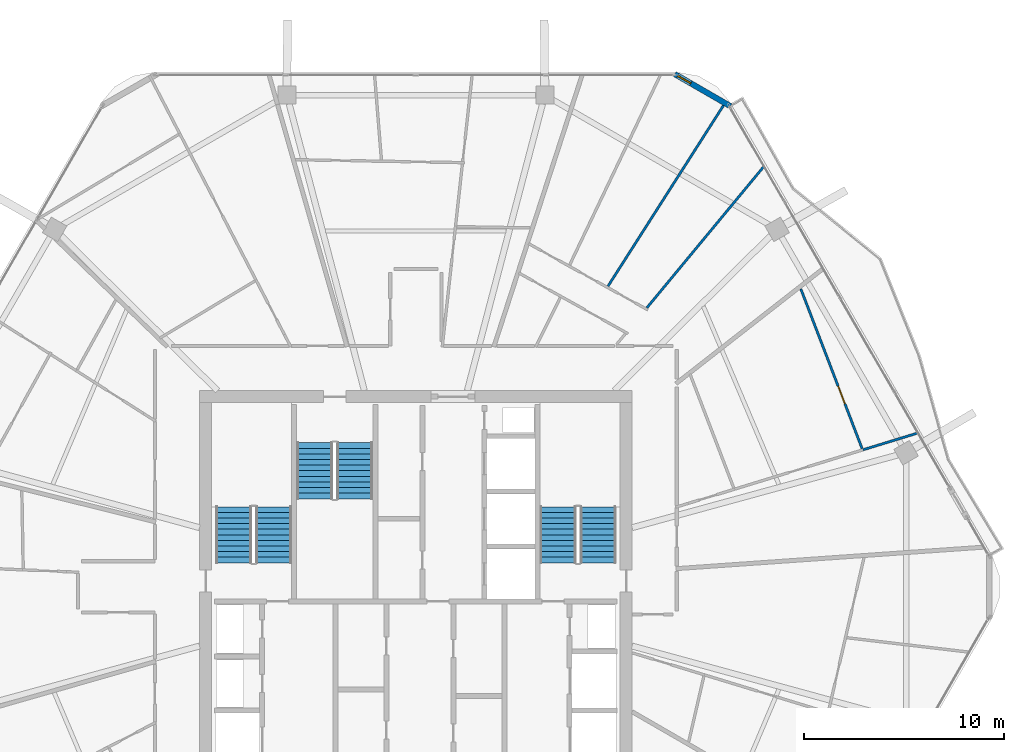
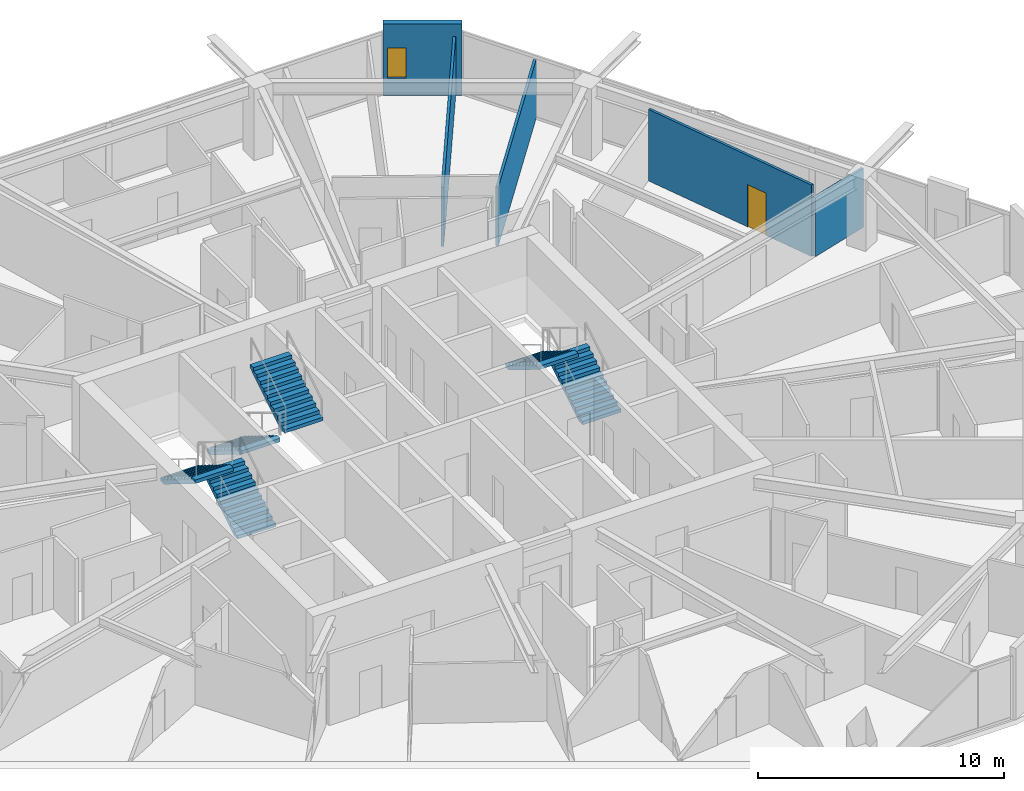
# One storey, part 23 of 26: 6 stair flights, 5 walls, 1 door, 1 window, 2 openings, 3 elements without a shape of their own.
"""IFC4 building model written with IfcOpenShell, lengths in metres."""

from ifc_helpers import new_model, si_unit, direction, frame, frame_2d, origin, place, context, subcontext, project, spatial, polyline, rectangle, outline, extrude, material, layer, layer_set, type_object, element, fill, aggregate, save


model = new_model("IFC4")

# Units and contexts
model_context = context("Model", 3, precision=1e-05, world=origin(), true_north=direction((0.0, 1.0)))
body_context = subcontext(model_context, "Body", "Model", "MODEL_VIEW")
ifc_project = project(units=[si_unit("LENGTHUNIT", "METRE"), si_unit("AREAUNIT", "SQUARE_METRE"), si_unit("VOLUMEUNIT", "CUBIC_METRE"), si_unit("PLANEANGLEUNIT", "RADIAN"), si_unit("MASSUNIT", "GRAM", prefix="KILO")], contexts=[model_context])

# Site, building, storey
site_placement = place(None, origin())
site = spatial("IfcSite", under=ifc_project, at=site_placement, CompositionType="ELEMENT")
building_placement = place(site_placement, origin())
building = spatial("IfcBuilding", under=site, at=building_placement, Name="Zuhravey Tower", CompositionType="ELEMENT")
storey_placement = place(building_placement, frame((0.0, 0.0, 250.199951171875)))
storey = spatial("IfcBuildingStorey", under=building, at=storey_placement, Name="L63", CompositionType="ELEMENT", Elevation=250.199951171875)

# Wall, opening, window
ifc_material_1 = material(Name="Precast concrete C40/50", Category="concrete")
ifc_layer_1 = layer(ifc_material_1, 0.280029296875)
ifc_layer_set_1 = layer_set([ifc_layer_1], Name="Precast concrete C40/50")
wall_type_1 = type_object("IfcWallType", Name="Crown Architectural Wall 280", PredefinedType="SOLIDWALL", material=ifc_layer_set_1)
wall_1_placement = place(storey_placement, frame((48.930419921875, 57.611083984375, 0.0), z_axis=(0.0, 0.0, 1.0), x_axis=(0.866028773314, -0.499994163758, 0.0)))
wall_1 = element("IfcWall", 1, at=wall_1_placement, inside=storey, type_object=wall_type_1, Name="L63 Rounded Corner Closure Wall EW28-10", PredefinedType="SOLIDWALL", context=body_context, shape_type="SweptSolid", body=[
    extrude(rectangle(XDim=3.21484375, YDim=0.280029296875, at=frame_2d((1.607421875, 0.0))), origin(), (0.0, 0.0, 1.0), 3.550048828125),
])
opening_1_placement = place(wall_1_placement, frame((0.17578125, 0.0, 0.85009765625)))
opening_1 = element("IfcOpeningElement", 2, at=opening_1_placement, cuts=wall_1, Name="Opening WN5", PredefinedType="OPENING", context=body_context, shape_type="SweptSolid", body=[
    extrude(rectangle(XDim=0.75, YDim=1.5, at=frame_2d((0.375, 0.75))), frame((0.0, 0.152099609375, 0.0), z_axis=(0.0, -1.0, 0.0), x_axis=(1.0, 0.0, 0.0)), (0.0, 0.0, 1.0), 0.303955078125),
])
ifc_material_2 = material(Name="Thermally broken aluminium and triple low-E glass", Category="aluminium")
window_type = type_object("IfcWindowType", Name="Residential Corner Casement Window 750x1500", PartitioningType="SINGLE_PANEL", PredefinedType="WINDOW", material=ifc_material_2)
window_placement = place(opening_1_placement, origin())
window = element("IfcWindow", 3, at=window_placement, inside=storey, type_object=window_type, Name="L63 Corner Casement Window WN5-10.1", OverallHeight=1.5, OverallWidth=0.75, PartitioningType="SINGLE_PANEL", PredefinedType="WINDOW", context=body_context, shape_type="SweptSolid", body=[
    extrude(rectangle(XDim=0.75, YDim=1.5, at=frame_2d((0.375, 0.75))), frame((0.0, 0.030029296875, 0.0), z_axis=(0.0, -1.0, 0.0), x_axis=(1.0, 0.0, 0.0)), (0.0, 0.0, 1.0), 0.06005859375),
])
fill(opening_1, window)

# Wall, opening, door
ifc_material_3 = material(Name="Gypsum metal-stud partition")
ifc_layer_2 = layer(ifc_material_3, 0.1201171875)
ifc_layer_set_2 = layer_set([ifc_layer_2], Name="Gypsum metal-stud partition")
wall_type_2 = type_object("IfcWallType", Name="Unit Internal Partition 120", PredefinedType="PARTITIONING", material=ifc_layer_set_2)
wall_2_placement = place(storey_placement, frame((58.288818359375, 38.902587890625, 0.0), z_axis=(0.0, 0.0, 1.0), x_axis=(-0.358377768056, 0.933576657465, 0.0)))
wall_2 = element("IfcWall", 4, at=wall_2_placement, inside=storey, type_object=wall_type_2, Name="L63 IW12 Partition 059", PredefinedType="PARTITIONING", context=body_context, shape_type="SweptSolid", body=[
    extrude(rectangle(XDim=8.544189453125, YDim=0.1201171875, at=frame_2d((4.27197265625, 0.0))), origin(), (0.0, 0.0, 1.0), 3.550048828125),
])
opening_2_placement = place(wall_2_placement, frame((2.392822265625, 0.0, 0.0)))
opening_2 = element("IfcOpeningElement", 5, at=opening_2_placement, cuts=wall_2, Name="Opening IND1", PredefinedType="OPENING", context=body_context, shape_type="SweptSolid", body=[
    extrude(rectangle(XDim=0.949951171875, YDim=2.10009765625, at=frame_2d((0.47509765625, 1.050048828125))), frame((0.0, 0.072021484375, 0.0), z_axis=(0.0, -1.0, 0.0), x_axis=(1.0, 0.0, 0.0)), (0.0, 0.0, 1.0), 0.14404296875),
])
ifc_material_4 = material(Name="Painted engineered timber leaf", Category="wood")
door_type = type_object("IfcDoorType", Name="Internal Room & Bedroom Door 950x2100", OperationType="NOTDEFINED", PredefinedType="DOOR", material=ifc_material_4)
door_placement = place(opening_2_placement, frame((0.949951171875, 0.0, 0.0), z_axis=(0.0, 0.0, 1.0), x_axis=(-1.0, 0.0, 0.0)))
door = element("IfcDoor", 6, at=door_placement, inside=storey, type_object=door_type, Name="Apartment L63-09 Bedroom 1 Door", OperationType="SINGLE_SWING_RIGHT", OverallHeight=2.10009765625, OverallWidth=0.949951171875, PredefinedType="DOOR", context=body_context, shape_type="SweptSolid", body=[
    extrude(rectangle(XDim=0.949951171875, YDim=2.10009765625, at=frame_2d((0.47509765625, 1.050048828125))), frame((0.0, 0.02490234375, 0.0), z_axis=(0.0, -1.0, 0.0), x_axis=(1.0, 0.0, 0.0)), (0.0, 0.0, 1.0), 0.050048828125),
])
fill(opening_2, door)

# Walls
wall_3_placement = place(storey_placement, frame((58.3369140625, 38.84619140625, 0.0), z_axis=(0.0, 0.0, 1.0), x_axis=(0.956107218271, 0.293017042457, 0.0)))
element("IfcWall", 7, at=wall_3_placement, inside=storey, type_object=wall_type_2, Name="L63 IW12 Partition 110", PredefinedType="PARTITIONING", context=body_context, shape_type="SweptSolid", body=[
    extrude(rectangle(XDim=2.873779296875, YDim=0.1201171875, at=frame_2d((1.43701171875, 0.0))), origin(), (0.0, 0.0, 1.0), 2.929931640625),
])
wall_4_placement = place(storey_placement, frame((45.596435546875, 47.01708984375, 0.0), z_axis=(0.0, 0.0, 1.0), x_axis=(0.538471979817, 0.842643416252, 0.0)))
element("IfcWall", 8, at=wall_4_placement, inside=storey, type_object=wall_type_2, Name="L63 IW12 Partition 114", PredefinedType="PARTITIONING", context=body_context, shape_type="SweptSolid", body=[
    extrude(rectangle(XDim=10.947265625, YDim=0.1201171875, at=frame_2d((5.4736328125, 0.0))), origin(), (0.0, 0.0, 1.0), 2.929931640625),
])
wall_5_placement = place(storey_placement, frame((47.538818359375, 45.93798828125, 0.0), z_axis=(0.0, 0.0, 1.0), x_axis=(0.637687358295, 0.770295289529, 0.0)))
element("IfcWall", 9, at=wall_5_placement, inside=storey, type_object=wall_type_2, Name="L63 IW12 Partition 117", PredefinedType="PARTITIONING", context=body_context, shape_type="SweptSolid", body=[
    extrude(rectangle(XDim=9.18701171875, YDim=0.1201171875, at=frame_2d((4.593505859375, 0.0))), origin(), (0.0, 0.0, 1.0), 2.929931640625),
])

# Stair, stair flights
ifc_material_5 = material(Name="Concrete C40/50", Category="concrete")
stair_type = type_object("IfcStairType", Name="Housing Storey Stair Assembly 3800", PredefinedType="HALF_TURN_STAIR", material=ifc_material_5)
stair_1_placement = place(storey_placement, origin())
stair_1 = element("IfcStair", 10, at=stair_1_placement, inside=storey, type_object=stair_type, Name="L63 Core Exit Stair ST1", PredefinedType="HALF_TURN_STAIR")
stair_flight_type = type_object("IfcStairFlightType", Name="Housing Storey Stair Flight 3800", PredefinedType="STRAIGHT", material=ifc_material_5)
stair_flight_1_placement = place(storey_placement, frame((28.89990234375, 33.199951171875, 0.0), z_axis=(0.0, 0.0, 1.0), x_axis=(0.0, 1.0, 0.0)))
stair_flight_1 = element("IfcStairFlight", 11, at=stair_flight_1_placement, type_object=stair_flight_type, Name="ST1 flight 1", NumberOfRisers=11, NumberOfTreads=10, PredefinedType="STRAIGHT", RiserHeight=0.172727273, TreadLength=0.28, context=body_context, shape_type="SweptSolid", body=[
    extrude(outline(polyline([(0.0, 0.0), (0.0, 0.172607421875), (0.280029296875, 0.172607421875), (0.280029296875, 0.345458984375), (0.56005859375, 0.345458984375), (0.56005859375, 0.51806640625), (0.840087890625, 0.51806640625), (0.840087890625, 0.69091796875), (1.1201171875, 0.69091796875), (1.1201171875, 0.863525390625), (1.39990234375, 0.863525390625), (1.39990234375, 1.036376953125), (1.679931640625, 1.036376953125), (1.679931640625, 1.208984375), (1.9599609375, 1.208984375), (1.9599609375, 1.3818359375), (2.239990234375, 1.3818359375), (2.239990234375, 1.554443359375), (2.52001953125, 1.554443359375), (2.52001953125, 1.727294921875), (2.800048828125, 1.727294921875), (2.800048828125, 1.89990234375), (2.800048828125, 1.551025390625), (0.285400390625, 0.0), (0.0, 0.0)])), frame((0.0, 0.89990234375, 0.0), z_axis=(0.0, -1.0, 0.0), x_axis=(1.0, 0.0, 0.0)), (0.0, 0.0, 1.0), 1.800048828125),
])
stair_flight_2_placement = place(storey_placement, frame((26.89990234375, 36.0, 1.900146484375), z_axis=(0.0, 0.0, 1.0), x_axis=(0.0, -1.0, 0.0)))
stair_flight_2 = element("IfcStairFlight", 12, at=stair_flight_2_placement, type_object=stair_flight_type, Name="ST1 flight 2", NumberOfRisers=11, NumberOfTreads=10, PredefinedType="STRAIGHT", RiserHeight=0.172727273, TreadLength=0.28, context=body_context, shape_type="SweptSolid", body=[
    extrude(outline(polyline([(0.0, 0.0), (0.0, 0.172607421875), (0.280029296875, 0.172607421875), (0.280029296875, 0.345458984375), (0.56005859375, 0.345458984375), (0.56005859375, 0.51806640625), (0.840087890625, 0.51806640625), (0.840087890625, 0.69091796875), (1.1201171875, 0.69091796875), (1.1201171875, 0.863525390625), (1.39990234375, 0.863525390625), (1.39990234375, 1.036376953125), (1.679931640625, 1.036376953125), (1.679931640625, 1.208984375), (1.9599609375, 1.208984375), (1.9599609375, 1.3818359375), (2.239990234375, 1.3818359375), (2.239990234375, 1.554443359375), (2.52001953125, 1.554443359375), (2.52001953125, 1.727294921875), (2.800048828125, 1.727294921875), (2.800048828125, 1.89990234375), (2.800048828125, 1.551025390625), (0.285400390625, 0.0), (0.0, 0.0)])), frame((0.0, 0.89990234375, 0.0), z_axis=(0.0, -1.0, 0.0), x_axis=(1.0, 0.0, 0.0)), (0.0, 0.0, 1.0), 1.800048828125),
])
aggregate(stair_1, [stair_flight_1, stair_flight_2])

stair_2_placement = place(storey_placement, origin())
stair_2 = element("IfcStair", 13, at=stair_2_placement, inside=storey, type_object=stair_type, Name="L63 Core Exit Stair ST2", PredefinedType="HALF_TURN_STAIR")
stair_flight_3_placement = place(storey_placement, frame((45.10009765625, 33.199951171875, 0.0), z_axis=(0.0, 0.0, 1.0), x_axis=(0.0, 1.0, 0.0)))
stair_flight_3 = element("IfcStairFlight", 14, at=stair_flight_3_placement, type_object=stair_flight_type, Name="ST2 flight 1", NumberOfRisers=11, NumberOfTreads=10, PredefinedType="STRAIGHT", RiserHeight=0.172727273, TreadLength=0.28, context=body_context, shape_type="SweptSolid", body=[
    extrude(outline(polyline([(0.0, 0.0), (0.0, 0.172607421875), (0.280029296875, 0.172607421875), (0.280029296875, 0.345458984375), (0.56005859375, 0.345458984375), (0.56005859375, 0.51806640625), (0.840087890625, 0.51806640625), (0.840087890625, 0.69091796875), (1.1201171875, 0.69091796875), (1.1201171875, 0.863525390625), (1.39990234375, 0.863525390625), (1.39990234375, 1.036376953125), (1.679931640625, 1.036376953125), (1.679931640625, 1.208984375), (1.9599609375, 1.208984375), (1.9599609375, 1.3818359375), (2.239990234375, 1.3818359375), (2.239990234375, 1.554443359375), (2.52001953125, 1.554443359375), (2.52001953125, 1.727294921875), (2.800048828125, 1.727294921875), (2.800048828125, 1.89990234375), (2.800048828125, 1.551025390625), (0.285400390625, 0.0), (0.0, 0.0)])), frame((0.0, 0.89990234375, 0.0), z_axis=(0.0, -1.0, 0.0), x_axis=(1.0, 0.0, 0.0)), (0.0, 0.0, 1.0), 1.800048828125),
])
stair_flight_4_placement = place(storey_placement, frame((43.10009765625, 36.0, 1.900146484375), z_axis=(0.0, 0.0, 1.0), x_axis=(0.0, -1.0, 0.0)))
stair_flight_4 = element("IfcStairFlight", 15, at=stair_flight_4_placement, type_object=stair_flight_type, Name="ST2 flight 2", NumberOfRisers=11, NumberOfTreads=10, PredefinedType="STRAIGHT", RiserHeight=0.172727273, TreadLength=0.28, context=body_context, shape_type="SweptSolid", body=[
    extrude(outline(polyline([(0.0, 0.0), (0.0, 0.172607421875), (0.280029296875, 0.172607421875), (0.280029296875, 0.345458984375), (0.56005859375, 0.345458984375), (0.56005859375, 0.51806640625), (0.840087890625, 0.51806640625), (0.840087890625, 0.69091796875), (1.1201171875, 0.69091796875), (1.1201171875, 0.863525390625), (1.39990234375, 0.863525390625), (1.39990234375, 1.036376953125), (1.679931640625, 1.036376953125), (1.679931640625, 1.208984375), (1.9599609375, 1.208984375), (1.9599609375, 1.3818359375), (2.239990234375, 1.3818359375), (2.239990234375, 1.554443359375), (2.52001953125, 1.554443359375), (2.52001953125, 1.727294921875), (2.800048828125, 1.727294921875), (2.800048828125, 1.89990234375), (2.800048828125, 1.551025390625), (0.285400390625, 0.0), (0.0, 0.0)])), frame((0.0, 0.89990234375, 0.0), z_axis=(0.0, -1.0, 0.0), x_axis=(1.0, 0.0, 0.0)), (0.0, 0.0, 1.0), 1.800048828125),
])
aggregate(stair_2, [stair_flight_3, stair_flight_4])

stair_3_placement = place(storey_placement, origin())
stair_3 = element("IfcStair", 16, at=stair_3_placement, inside=storey, type_object=stair_type, Name="L63 Core Exit Stair ST3", PredefinedType="HALF_TURN_STAIR")
stair_flight_5_placement = place(storey_placement, frame((30.949951171875, 39.199951171875, 0.0), z_axis=(0.0, 0.0, 1.0), x_axis=(0.0, -1.0, 0.0)))
stair_flight_5 = element("IfcStairFlight", 17, at=stair_flight_5_placement, type_object=stair_flight_type, Name="ST3 flight 1", NumberOfRisers=11, NumberOfTreads=10, PredefinedType="STRAIGHT", RiserHeight=0.172727273, TreadLength=0.28, context=body_context, shape_type="SweptSolid", body=[
    extrude(outline(polyline([(0.0, 0.0), (0.0, 0.172607421875), (0.280029296875, 0.172607421875), (0.280029296875, 0.345458984375), (0.56005859375, 0.345458984375), (0.56005859375, 0.51806640625), (0.840087890625, 0.51806640625), (0.840087890625, 0.69091796875), (1.1201171875, 0.69091796875), (1.1201171875, 0.863525390625), (1.39990234375, 0.863525390625), (1.39990234375, 1.036376953125), (1.679931640625, 1.036376953125), (1.679931640625, 1.208984375), (1.9599609375, 1.208984375), (1.9599609375, 1.3818359375), (2.239990234375, 1.3818359375), (2.239990234375, 1.554443359375), (2.52001953125, 1.554443359375), (2.52001953125, 1.727294921875), (2.800048828125, 1.727294921875), (2.800048828125, 1.89990234375), (2.800048828125, 1.551025390625), (0.285400390625, 0.0), (0.0, 0.0)])), frame((0.0, 0.89990234375, 0.0), z_axis=(0.0, -1.0, 0.0), x_axis=(1.0, 0.0, 0.0)), (0.0, 0.0, 1.0), 1.800048828125),
])
stair_flight_6_placement = place(storey_placement, frame((32.949951171875, 36.39990234375, 1.900146484375), z_axis=(0.0, 0.0, 1.0), x_axis=(0.0, 1.0, 0.0)))
stair_flight_6 = element("IfcStairFlight", 18, at=stair_flight_6_placement, type_object=stair_flight_type, Name="ST3 flight 2", NumberOfRisers=11, NumberOfTreads=10, PredefinedType="STRAIGHT", RiserHeight=0.172727273, TreadLength=0.28, context=body_context, shape_type="SweptSolid", body=[
    extrude(outline(polyline([(0.0, 0.0), (0.0, 0.172607421875), (0.280029296875, 0.172607421875), (0.280029296875, 0.345458984375), (0.56005859375, 0.345458984375), (0.56005859375, 0.51806640625), (0.840087890625, 0.51806640625), (0.840087890625, 0.69091796875), (1.1201171875, 0.69091796875), (1.1201171875, 0.863525390625), (1.39990234375, 0.863525390625), (1.39990234375, 1.036376953125), (1.679931640625, 1.036376953125), (1.679931640625, 1.208984375), (1.9599609375, 1.208984375), (1.9599609375, 1.3818359375), (2.239990234375, 1.3818359375), (2.239990234375, 1.554443359375), (2.52001953125, 1.554443359375), (2.52001953125, 1.727294921875), (2.800048828125, 1.727294921875), (2.800048828125, 1.89990234375), (2.800048828125, 1.551025390625), (0.285400390625, 0.0), (0.0, 0.0)])), frame((0.0, 0.89990234375, 0.0), z_axis=(0.0, -1.0, 0.0), x_axis=(1.0, 0.0, 0.0)), (0.0, 0.0, 1.0), 1.800048828125),
])
aggregate(stair_3, [stair_flight_5, stair_flight_6])

save(model, "model.ifc")
